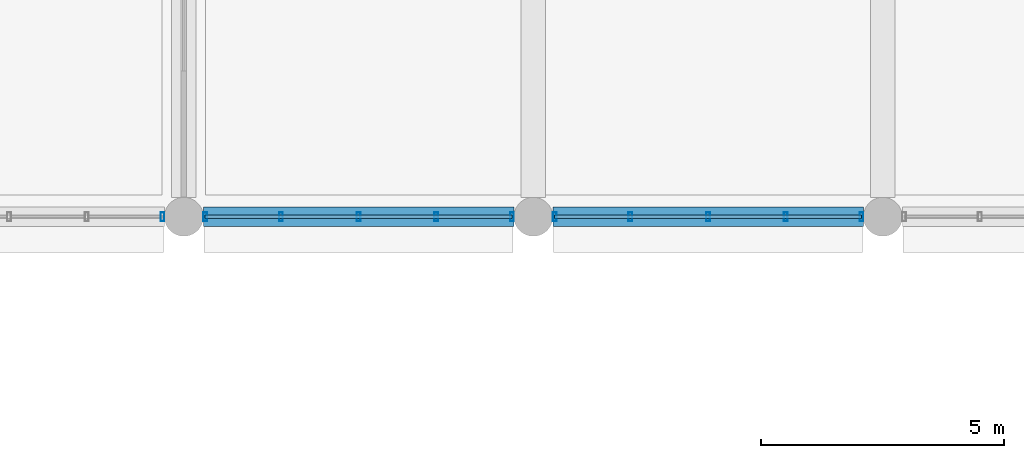
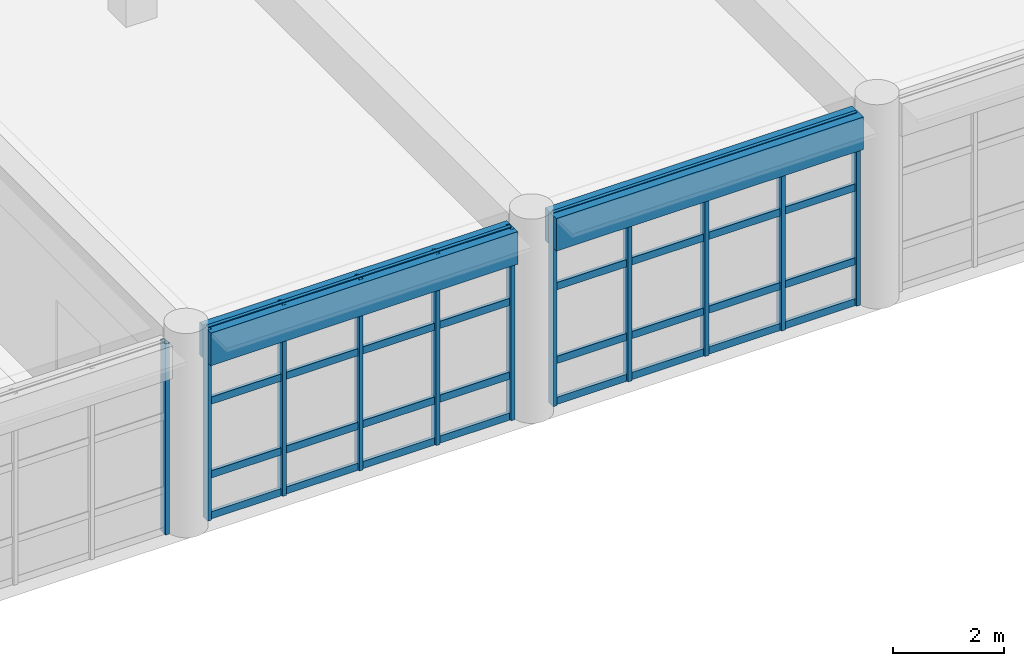
# One storey, part 37 of 171: 19 members, 2 beams, 3 elements without a shape of their own.
"""IFC4 building model written with IfcOpenShell, lengths in metres."""

from ifc_helpers import new_model, si_unit, direction, frame, origin, origin_2d, place, context, subcontext, project, spatial, rectangle, hollow_rectangle, extrude, material, material_profile, profile_set, type_object, element, aggregate, save


model = new_model("IFC4")

# Units and contexts
model_context = context("Model", 3, precision=1e-05, world=origin(), true_north=direction((0.0, 1.0)))
body_context = subcontext(model_context, "Body", "Model", "MODEL_VIEW")
ifc_project = project(units=[si_unit("LENGTHUNIT", "METRE"), si_unit("AREAUNIT", "SQUARE_METRE"), si_unit("VOLUMEUNIT", "CUBIC_METRE"), si_unit("PLANEANGLEUNIT", "RADIAN"), si_unit("MASSUNIT", "GRAM", prefix="KILO")], contexts=[model_context])

# Site, building, storey
site_placement = place(None, origin())
site = spatial("IfcSite", under=ifc_project, at=site_placement, CompositionType="ELEMENT")
building_placement = place(site_placement, origin())
building = spatial("IfcBuilding", under=site, at=building_placement, Name="Thalmaran Polytechnic", CompositionType="ELEMENT")
storey_placement = place(building_placement, frame((0.0, 0.0, 5.39990234375)))
storey = spatial("IfcBuildingStorey", under=building, at=storey_placement, Name="L01", CompositionType="ELEMENT", Elevation=5.39990234375)

# Beams
ifc_material_1 = material(Name="Concrete C40/50", Category="concrete")
ifc_material_profile_1 = material_profile(ifc_material_1, rectangle(XDim=0.39990234375, YDim=0.719970703125, at=origin_2d()), Name="RC 400x720")
ifc_profile_set_1 = profile_set([ifc_material_profile_1], Name="Concrete C40/50")
beam_type = type_object("IfcBeamType", Name="BM-SP01", PredefinedType="SPANDREL", material=ifc_profile_set_1)
for number, where, z_axis, x_axis, name in (
    (1, (65.199951171875, 50.39990234375, 3.85009765625), (1.0, 0.0, 0.0), (0.0, 1.0, 0.0), "Grid Beam SP01 L01 X(9,7)"),
    (2, (72.39990234375, 50.39990234375, 3.85498046875), (1.0, 0.0, 0.0), (0.0, 1.0, 0.0), "Grid Beam SP01 L01 X(10,7)"),
):
    element("IfcBeam", number, at=place(storey_placement, frame(where, z_axis=z_axis, x_axis=x_axis)), inside=storey, type_object=beam_type, Name=name, PredefinedType="SPANDREL", context=body_context, shape_type="SweptSolid", body=[
        extrude(rectangle(XDim=0.39990234375, YDim=0.719970703125, at=origin_2d()), origin(), (0.0, 0.0, 1.0), 6.400146484375),
    ])

# Curtain wall, members
ifc_material_2 = material(Name="Aluminium 6063-T6", Category="aluminium")
curtain_wall_type = type_object("IfcCurtainWallType", Name="CW-SC01", PredefinedType="USERDEFINED", material=ifc_material_2)
curtain_wall_1_placement = place(storey_placement, origin())
curtain_wall_1 = element("IfcCurtainWall", 3, at=curtain_wall_1_placement, inside=storey, type_object=curtain_wall_type, Name="Curtain Wall CW-L01-150", ObjectType="STICK CURTAIN WALL", PredefinedType="USERDEFINED")
ifc_material_profile_2 = material_profile(ifc_material_2, hollow_rectangle(XDim=0.080078125, YDim=0.179931640625, WallThickness=0.0048828125, at=origin_2d()), Name="RHS 180x80x5.0")
ifc_profile_set_2 = profile_set([ifc_material_profile_2], Name="Aluminium 6063-T6")
member_type_1 = type_object("IfcMemberType", Name="CW-MUL1", PredefinedType="MULLION", material=ifc_profile_set_2)
member_1_placement = place(storey_placement, frame((78.760009765625, 50.39990234375, 0.0), z_axis=(0.0, 0.0, 1.0), x_axis=(1.0, 0.0, 0.0)))
member_1 = element("IfcMember", 4, at=member_1_placement, type_object=member_type_1, Name="CW-L01-150 Mullion 1", PredefinedType="MULLION", context=body_context, shape_type="SweptSolid", body=[
    extrude(hollow_rectangle(XDim=0.080078125, YDim=0.179931640625, WallThickness=0.0048828125, at=origin_2d()), origin(), (0.0, 0.0, 1.0), 4.210205078125),
])
member_2_placement = place(storey_placement, frame((77.199951171875, 50.39990234375, 0.0), z_axis=(0.0, 0.0, 1.0), x_axis=(1.0, 0.0, 0.0)))
member_2 = element("IfcMember", 5, at=member_2_placement, type_object=member_type_1, Name="CW-L01-150 Mullion 2", PredefinedType="MULLION", context=body_context, shape_type="SweptSolid", body=[
    extrude(hollow_rectangle(XDim=0.080078125, YDim=0.179931640625, WallThickness=0.0048828125, at=origin_2d()), origin(), (0.0, 0.0, 1.0), 4.210205078125),
])
member_3_placement = place(storey_placement, frame((75.60009765625, 50.39990234375, 0.0), z_axis=(0.0, 0.0, 1.0), x_axis=(1.0, 0.0, 0.0)))
member_3 = element("IfcMember", 6, at=member_3_placement, type_object=member_type_1, Name="CW-L01-150 Mullion 3", PredefinedType="MULLION", context=body_context, shape_type="SweptSolid", body=[
    extrude(hollow_rectangle(XDim=0.080078125, YDim=0.179931640625, WallThickness=0.0048828125, at=origin_2d()), origin(), (0.0, 0.0, 1.0), 4.210205078125),
])
member_4_placement = place(storey_placement, frame((74.0, 50.39990234375, 0.0), z_axis=(0.0, 0.0, 1.0), x_axis=(1.0, 0.0, 0.0)))
member_4 = element("IfcMember", 7, at=member_4_placement, type_object=member_type_1, Name="CW-L01-150 Mullion 4", PredefinedType="MULLION", context=body_context, shape_type="SweptSolid", body=[
    extrude(hollow_rectangle(XDim=0.080078125, YDim=0.179931640625, WallThickness=0.0048828125, at=origin_2d()), origin(), (0.0, 0.0, 1.0), 4.210205078125),
])
member_5_placement = place(storey_placement, frame((72.43994140625, 50.39990234375, 0.0), z_axis=(0.0, 0.0, 1.0), x_axis=(1.0, 0.0, 0.0)))
member_5 = element("IfcMember", 8, at=member_5_placement, type_object=member_type_1, Name="CW-L01-150 Mullion 5", PredefinedType="MULLION", context=body_context, shape_type="SweptSolid", body=[
    extrude(hollow_rectangle(XDim=0.080078125, YDim=0.179931640625, WallThickness=0.0048828125, at=origin_2d()), origin(), (0.0, 0.0, 1.0), 4.210205078125),
])

curtain_wall_2_placement = place(storey_placement, origin())
curtain_wall_2 = element("IfcCurtainWall", 9, at=curtain_wall_2_placement, inside=storey, type_object=curtain_wall_type, Name="Curtain Wall CW-L01-151", ObjectType="STICK CURTAIN WALL", PredefinedType="USERDEFINED")
member_6_placement = place(storey_placement, frame((71.56005859375, 50.39990234375, 0.0), z_axis=(0.0, 0.0, 1.0), x_axis=(1.0, 0.0, 0.0)))
member_6 = element("IfcMember", 10, at=member_6_placement, type_object=member_type_1, Name="CW-L01-151 Mullion 1", PredefinedType="MULLION", context=body_context, shape_type="SweptSolid", body=[
    extrude(hollow_rectangle(XDim=0.080078125, YDim=0.179931640625, WallThickness=0.0048828125, at=origin_2d()), origin(), (0.0, 0.0, 1.0), 4.210205078125),
])
member_7_placement = place(storey_placement, frame((70.0, 50.39990234375, 0.0), z_axis=(0.0, 0.0, 1.0), x_axis=(1.0, 0.0, 0.0)))
member_7 = element("IfcMember", 11, at=member_7_placement, type_object=member_type_1, Name="CW-L01-151 Mullion 2", PredefinedType="MULLION", context=body_context, shape_type="SweptSolid", body=[
    extrude(hollow_rectangle(XDim=0.080078125, YDim=0.179931640625, WallThickness=0.0048828125, at=origin_2d()), origin(), (0.0, 0.0, 1.0), 4.210205078125),
])
member_8_placement = place(storey_placement, frame((68.39990234375, 50.39990234375, 0.0), z_axis=(0.0, 0.0, 1.0), x_axis=(1.0, 0.0, 0.0)))
member_8 = element("IfcMember", 12, at=member_8_placement, type_object=member_type_1, Name="CW-L01-151 Mullion 3", PredefinedType="MULLION", context=body_context, shape_type="SweptSolid", body=[
    extrude(hollow_rectangle(XDim=0.080078125, YDim=0.179931640625, WallThickness=0.0048828125, at=origin_2d()), origin(), (0.0, 0.0, 1.0), 4.210205078125),
])
member_9_placement = place(storey_placement, frame((66.800048828125, 50.39990234375, 0.0), z_axis=(0.0, 0.0, 1.0), x_axis=(1.0, 0.0, 0.0)))
member_9 = element("IfcMember", 13, at=member_9_placement, type_object=member_type_1, Name="CW-L01-151 Mullion 4", PredefinedType="MULLION", context=body_context, shape_type="SweptSolid", body=[
    extrude(hollow_rectangle(XDim=0.080078125, YDim=0.179931640625, WallThickness=0.0048828125, at=origin_2d()), origin(), (0.0, 0.0, 1.0), 4.210205078125),
])
member_10_placement = place(storey_placement, frame((65.239990234375, 50.39990234375, 0.0), z_axis=(0.0, 0.0, 1.0), x_axis=(1.0, 0.0, 0.0)))
member_10 = element("IfcMember", 14, at=member_10_placement, type_object=member_type_1, Name="CW-L01-151 Mullion 5", PredefinedType="MULLION", context=body_context, shape_type="SweptSolid", body=[
    extrude(hollow_rectangle(XDim=0.080078125, YDim=0.179931640625, WallThickness=0.0048828125, at=origin_2d()), origin(), (0.0, 0.0, 1.0), 4.210205078125),
])

# Curtain wall, member
curtain_wall_3_placement = place(storey_placement, origin())
curtain_wall_3 = element("IfcCurtainWall", 15, at=curtain_wall_3_placement, inside=storey, type_object=curtain_wall_type, Name="Curtain Wall CW-L01-152", ObjectType="STICK CURTAIN WALL", PredefinedType="USERDEFINED")
member_11_placement = place(storey_placement, frame((64.360107421875, 50.39990234375, 0.0), z_axis=(0.0, 0.0, 1.0), x_axis=(1.0, 0.0, 0.0)))
member_11 = element("IfcMember", 16, at=member_11_placement, type_object=member_type_1, Name="CW-L01-152 Mullion 1", PredefinedType="MULLION", context=body_context, shape_type="SweptSolid", body=[
    extrude(hollow_rectangle(XDim=0.080078125, YDim=0.179931640625, WallThickness=0.0048828125, at=origin_2d()), origin(), (0.0, 0.0, 1.0), 4.210205078125),
])
aggregate(curtain_wall_3, [member_11])

# Member
ifc_material_profile_3 = material_profile(ifc_material_2, hollow_rectangle(XDim=0.070068359375, YDim=0.159912109375, WallThickness=0.00390625, at=origin_2d()), Name="AL 160x70x4.0")
ifc_profile_set_3 = profile_set([ifc_material_profile_3], Name="Aluminium 6063-T6")
member_type_2 = type_object("IfcMemberType", Name="CW-TRN1", PredefinedType="USERDEFINED", material=ifc_profile_set_3)
member_12_placement = place(storey_placement, frame((78.760009765625, 50.39990234375, 0.06005859375), z_axis=(-1.0, 0.0, 0.0), x_axis=(0.0, -1.0, 0.0)))
member_12 = element("IfcMember", 17, at=member_12_placement, type_object=member_type_2, Name="CW-L01-150 Transom 1", ObjectType="TRANSOM", PredefinedType="USERDEFINED", context=body_context, shape_type="SweptSolid", body=[
    extrude(hollow_rectangle(XDim=0.070068359375, YDim=0.159912109375, WallThickness=0.00390625, at=origin_2d()), origin(), (0.0, 0.0, 1.0), 6.320068359375),
])

member_13_placement = place(storey_placement, frame((78.760009765625, 50.39990234375, 0.960205078125), z_axis=(-1.0, 0.0, 0.0), x_axis=(0.0, -1.0, 0.0)))
member_13 = element("IfcMember", 18, at=member_13_placement, type_object=member_type_2, Name="CW-L01-150 Transom 2", ObjectType="TRANSOM", PredefinedType="USERDEFINED", context=body_context, shape_type="SweptSolid", body=[
    extrude(hollow_rectangle(XDim=0.070068359375, YDim=0.159912109375, WallThickness=0.00390625, at=origin_2d()), origin(), (0.0, 0.0, 1.0), 6.320068359375),
])

member_14_placement = place(storey_placement, frame((78.760009765625, 50.39990234375, 2.585205078125), z_axis=(-1.0, 0.0, 0.0), x_axis=(0.0, -1.0, 0.0)))
member_14 = element("IfcMember", 19, at=member_14_placement, type_object=member_type_2, Name="CW-L01-150 Transom 3", ObjectType="TRANSOM", PredefinedType="USERDEFINED", context=body_context, shape_type="SweptSolid", body=[
    extrude(hollow_rectangle(XDim=0.070068359375, YDim=0.159912109375, WallThickness=0.00390625, at=origin_2d()), origin(), (0.0, 0.0, 1.0), 6.320068359375),
])

member_15_placement = place(storey_placement, frame((78.760009765625, 50.39990234375, 4.150146484375), z_axis=(-1.0, 0.0, 0.0), x_axis=(0.0, -1.0, 0.0)))
member_15 = element("IfcMember", 20, at=member_15_placement, type_object=member_type_2, Name="CW-L01-150 Transom 4", ObjectType="TRANSOM", PredefinedType="USERDEFINED", context=body_context, shape_type="SweptSolid", body=[
    extrude(hollow_rectangle(XDim=0.070068359375, YDim=0.159912109375, WallThickness=0.00390625, at=origin_2d()), origin(), (0.0, 0.0, 1.0), 6.320068359375),
])

aggregate(curtain_wall_1, [member_1, member_2, member_3, member_4, member_5, member_12, member_13, member_14, member_15])

member_16_placement = place(storey_placement, frame((71.56005859375, 50.39990234375, 0.06005859375), z_axis=(-1.0, 0.0, 0.0), x_axis=(0.0, -1.0, 0.0)))
member_16 = element("IfcMember", 21, at=member_16_placement, type_object=member_type_2, Name="CW-L01-151 Transom 1", ObjectType="TRANSOM", PredefinedType="USERDEFINED", context=body_context, shape_type="SweptSolid", body=[
    extrude(hollow_rectangle(XDim=0.070068359375, YDim=0.159912109375, WallThickness=0.00390625, at=origin_2d()), origin(), (0.0, 0.0, 1.0), 6.320068359375),
])

member_17_placement = place(storey_placement, frame((71.56005859375, 50.39990234375, 0.960205078125), z_axis=(-1.0, 0.0, 0.0), x_axis=(0.0, -1.0, 0.0)))
member_17 = element("IfcMember", 22, at=member_17_placement, type_object=member_type_2, Name="CW-L01-151 Transom 2", ObjectType="TRANSOM", PredefinedType="USERDEFINED", context=body_context, shape_type="SweptSolid", body=[
    extrude(hollow_rectangle(XDim=0.070068359375, YDim=0.159912109375, WallThickness=0.00390625, at=origin_2d()), origin(), (0.0, 0.0, 1.0), 6.320068359375),
])

member_18_placement = place(storey_placement, frame((71.56005859375, 50.39990234375, 2.585205078125), z_axis=(-1.0, 0.0, 0.0), x_axis=(0.0, -1.0, 0.0)))
member_18 = element("IfcMember", 23, at=member_18_placement, type_object=member_type_2, Name="CW-L01-151 Transom 3", ObjectType="TRANSOM", PredefinedType="USERDEFINED", context=body_context, shape_type="SweptSolid", body=[
    extrude(hollow_rectangle(XDim=0.070068359375, YDim=0.159912109375, WallThickness=0.00390625, at=origin_2d()), origin(), (0.0, 0.0, 1.0), 6.320068359375),
])

member_19_placement = place(storey_placement, frame((71.56005859375, 50.39990234375, 4.150146484375), z_axis=(-1.0, 0.0, 0.0), x_axis=(0.0, -1.0, 0.0)))
member_19 = element("IfcMember", 24, at=member_19_placement, type_object=member_type_2, Name="CW-L01-151 Transom 4", ObjectType="TRANSOM", PredefinedType="USERDEFINED", context=body_context, shape_type="SweptSolid", body=[
    extrude(hollow_rectangle(XDim=0.070068359375, YDim=0.159912109375, WallThickness=0.00390625, at=origin_2d()), origin(), (0.0, 0.0, 1.0), 6.320068359375),
])

aggregate(curtain_wall_2, [member_6, member_7, member_8, member_9, member_10, member_16, member_17, member_18, member_19])

save(model, "model.ifc")
